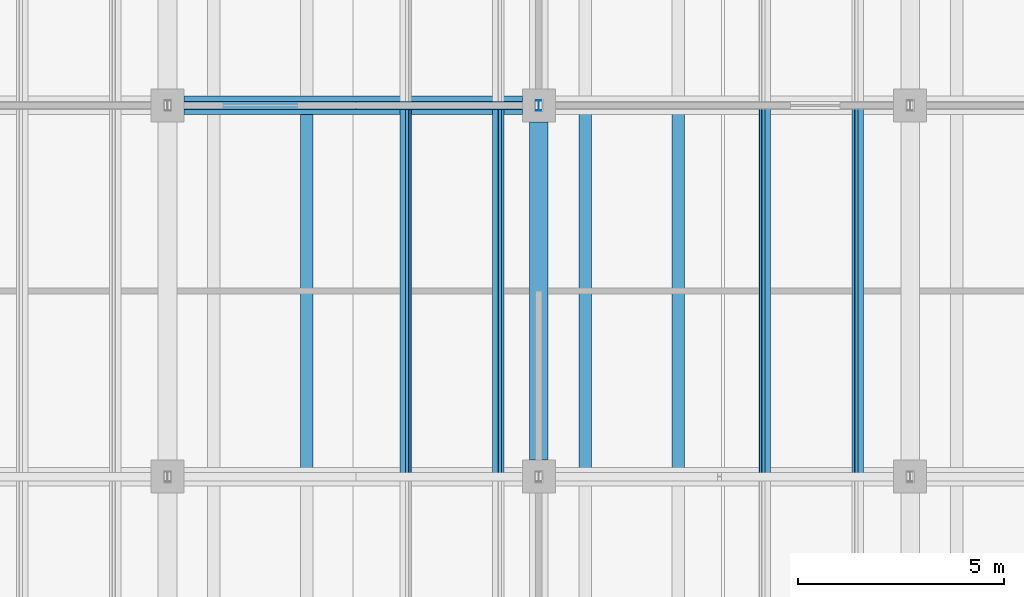
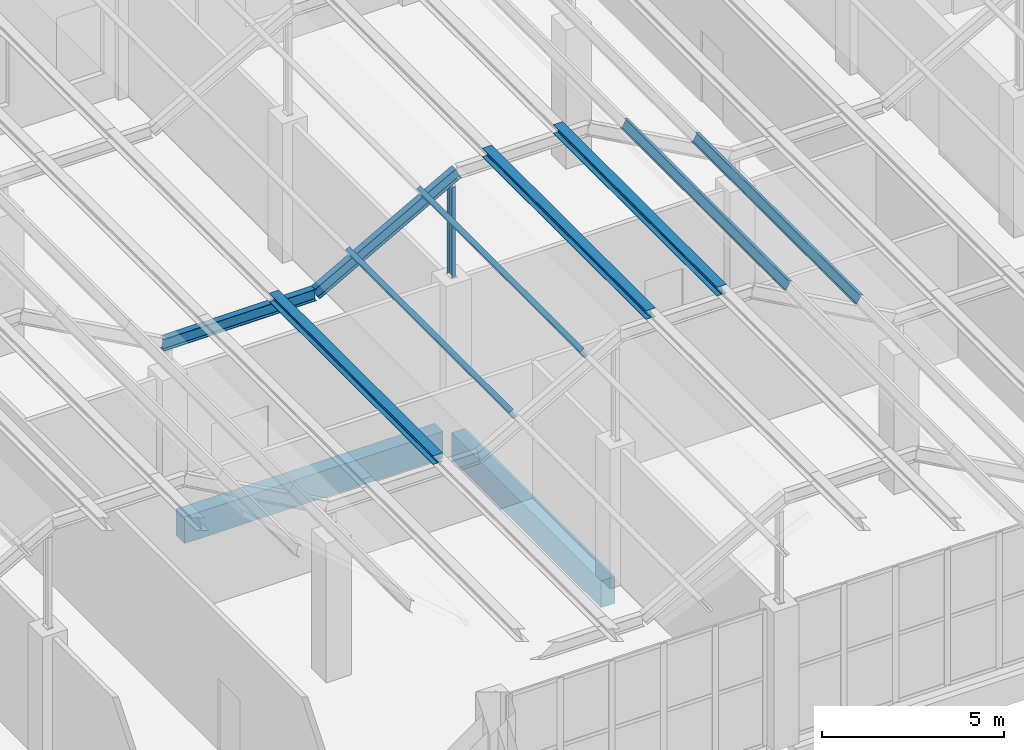
# One storey, part 62 of 437: 10 members, 2 beams.
"""IFC4 building model written with IfcOpenShell, lengths in metres."""

from ifc_helpers import new_model, si_unit, direction, frame, origin, origin_2d, place, context, subcontext, project, spatial, rectangle, i_section, extrude, material, material_profile, profile_set, type_object, element, save


model = new_model("IFC4")

# Units and contexts
model_context = context("Model", 3, precision=1e-05, world=origin(), true_north=direction((0.0, 1.0)))
body_context = subcontext(model_context, "Body", "Model", "MODEL_VIEW")
ifc_project = project(units=[si_unit("LENGTHUNIT", "METRE"), si_unit("AREAUNIT", "SQUARE_METRE"), si_unit("VOLUMEUNIT", "CUBIC_METRE"), si_unit("PLANEANGLEUNIT", "RADIAN"), si_unit("MASSUNIT", "GRAM", prefix="KILO")], contexts=[model_context])

# Site, building, storey
site_placement = place(None, origin())
site = spatial("IfcSite", under=ifc_project, at=site_placement, CompositionType="ELEMENT")
building_placement = place(site_placement, origin())
building = spatial("IfcBuilding", under=site, at=building_placement, Name="Opaline Strait Convention Centre", CompositionType="ELEMENT")
storey_placement = place(building_placement, frame((0.0, 0.0, 11.5)))
storey = spatial("IfcBuildingStorey", under=building, at=storey_placement, Name="L02", CompositionType="ELEMENT", Elevation=11.5)

# Members
ifc_material_1 = material(Name="Steel Q355B", Category="steel")
ifc_material_profile_1 = material_profile(ifc_material_1, i_section(OverallWidth=0.300048828125, OverallDepth=0.300048828125, WebThickness=0.010009765625, FlangeThickness=0.014892578125, FilletRadius=0.012939453125, at=origin_2d()), Name="HW 300x300x10x15")
ifc_profile_set_1 = profile_set([ifc_material_profile_1], Name="Steel Q355B")
member_type_1 = type_object("IfcMemberType", Name="Crest purlin HW 300x300x10x15", PredefinedType="PURLIN", material=ifc_profile_set_1)
for number, where, z_axis, x_axis, name in (
    (1, (39.375, 72.0, 5.949951171875), (0.0, 1.0, 0.0), (-1.0, 0.0, 0.0), "RU1 purlin facet 7 line 2"),
    (2, (46.125, 72.0, 8.449951171875), (0.0, 1.0, 0.0), (-1.0, 0.0, 0.0), "RU1 purlin facet 9 line 1"),
    (3, (48.375, 72.0, 8.449951171875), (0.0, 1.0, 0.0), (-1.0, 0.0, 0.0), "RU1 purlin facet 9 line 2"),
):
    element("IfcMember", number, at=place(storey_placement, frame(where, z_axis=z_axis, x_axis=x_axis)), inside=storey, type_object=member_type_1, Name=name, PredefinedType="PURLIN", context=body_context, shape_type="SweptSolid", body=[
        extrude(i_section(OverallWidth=0.300048828125, OverallDepth=0.300048828125, WebThickness=0.010009765625, FlangeThickness=0.014892578125, FilletRadius=0.012939453125, at=origin_2d()), origin(), (0.0, 0.0, 1.0), 9.0),
    ])

# Beams
ifc_material_2 = material(Name="Concrete C35", Category="concrete")
ifc_material_profile_2 = material_profile(ifc_material_2, rectangle(XDim=0.449951171875, YDim=0.89990234375, at=origin_2d()), Name="RC 450x900")
ifc_profile_set_2 = profile_set([ifc_material_profile_2], Name="Concrete C35")
beam_type = type_object("IfcBeamType", Name="RC beam 450x900 C35", PredefinedType="BEAM", material=ifc_profile_set_2)
for number, where, z_axis, x_axis, name in (
    (4, (36.39990234375, 81.0, -0.72998046875), (1.0, 0.0, 0.0), (0.0, 1.0, 0.0), "XB1 L02 36/81-45/81"),
    (5, (45.0, 72.39990234375, -0.72998046875), (0.0, 1.0, 0.0), (-1.0, 0.0, 0.0), "XB1 L02 45/72-45/81"),
):
    element("IfcBeam", number, at=place(storey_placement, frame(where, z_axis=z_axis, x_axis=x_axis)), inside=storey, type_object=beam_type, Name=name, PredefinedType="BEAM", context=body_context, shape_type="SweptSolid", body=[
        extrude(rectangle(XDim=0.449951171875, YDim=0.89990234375, at=origin_2d()), origin(), (0.0, 0.0, 1.0), 8.2001953125),
    ])

# Members
ifc_material_profile_3 = material_profile(ifc_material_1, i_section(OverallWidth=0.125, OverallDepth=0.25, WebThickness=0.006103515625, FlangeThickness=0.009033203125, FilletRadius=0.008056640625, at=origin_2d()), Name="HN 250x125x6x9")
ifc_profile_set_3 = profile_set([ifc_material_profile_3], Name="Steel Q355B")
member_type_2 = type_object("IfcMemberType", Name="Roof post HN 250x125x6x9", PredefinedType="STRUT", material=ifc_profile_set_3)
member_1_placement = place(storey_placement, frame((45.0, 81.0, 4.68994140625), z_axis=(0.0, 0.0, 1.0), x_axis=(1.0, 0.0, 0.0)))
element("IfcMember", 6, at=member_1_placement, inside=storey, type_object=member_type_2, Name="RP1 roof post at 45/81", PredefinedType="STRUT", context=body_context, shape_type="SweptSolid", body=[
    extrude(i_section(OverallWidth=0.125, OverallDepth=0.25, WebThickness=0.006103515625, FlangeThickness=0.009033203125, FilletRadius=0.008056640625, at=origin_2d()), origin(), (0.0, 0.0, 1.0), 3.031005859375),
])
ifc_material_profile_4 = material_profile(ifc_material_1, i_section(OverallWidth=0.14990234375, OverallDepth=0.300048828125, WebThickness=0.006591796875, FlangeThickness=0.009033203125, FilletRadius=0.012939453125, at=origin_2d()), Name="HN 300x150x6.5x9")
ifc_profile_set_4 = profile_set([ifc_material_profile_4], Name="Steel Q355B")
member_type_3 = type_object("IfcMemberType", Name="Roof purlin HN 300x150x6.5x9", PredefinedType="PURLIN", material=ifc_profile_set_4)
for number, where, z_axis, x_axis, name in (
    (7, (41.770751953125, 72.0, 6.61279296875), (0.0, 1.0, 0.0), (-0.874157310866, 0.0, -0.485642868639), "RU1 purlin facet 8 line 1"),
    (8, (44.020751953125, 72.0, 7.86279296875), (0.0, 1.0, 0.0), (-0.874157310866, 0.0, -0.485642868639), "RU1 purlin facet 8 line 2"),
    (9, (50.479248046875, 72.0, 7.86279296875), (0.0, 1.0, 0.0), (-0.874157310866, 0.0, 0.485642868639), "RU1 purlin facet 10 line 1"),
    (10, (52.729248046875, 72.0, 6.61279296875), (0.0, 1.0, 0.0), (-0.874157310866, 0.0, 0.485642868639), "RU1 purlin facet 10 line 2"),
):
    element("IfcMember", number, at=place(storey_placement, frame(where, z_axis=z_axis, x_axis=x_axis)), inside=storey, type_object=member_type_3, Name=name, PredefinedType="PURLIN", context=body_context, shape_type="SweptSolid", body=[
        extrude(i_section(OverallWidth=0.14990234375, OverallDepth=0.300048828125, WebThickness=0.006591796875, FlangeThickness=0.009033203125, FilletRadius=0.012939453125, at=origin_2d()), origin(), (0.0, 0.0, 1.0), 9.0),
    ])
ifc_material_profile_5 = material_profile(ifc_material_1, i_section(OverallWidth=0.199951171875, OverallDepth=0.39990234375, WebThickness=0.008056640625, FlangeThickness=0.012939453125, FilletRadius=0.012939453125, at=origin_2d()), Name="HN 400x200x8x13")
ifc_profile_set_5 = profile_set([ifc_material_profile_5], Name="Steel Q355B")
member_type_4 = type_object("IfcMemberType", Name="Roof rafter HN 400x200x8x13", PredefinedType="RAFTER", material=ifc_profile_set_5)
member_2_placement = place(storey_placement, frame((35.83154296875, 81.0, 5.60009765625), z_axis=(1.0, 0.0, 0.0), x_axis=(0.0, 1.0, 0.0)))
element("IfcMember", 11, at=member_2_placement, inside=storey, type_object=member_type_4, Name="RR1 rafter line 9 facet 8", PredefinedType="RAFTER", context=body_context, shape_type="SweptSolid", body=[
    extrude(i_section(OverallWidth=0.199951171875, OverallDepth=0.39990234375, WebThickness=0.008056640625, FlangeThickness=0.012939453125, FilletRadius=0.012939453125, at=origin_2d()), origin(), (0.0, 0.0, 1.0), 4.8369140625),
])
member_3_placement = place(storey_placement, frame((40.66845703125, 81.0, 5.60009765625), z_axis=(0.874157276122, 0.0, 0.485642931179), x_axis=(0.0, 1.0, 0.0)))
element("IfcMember", 12, at=member_3_placement, inside=storey, type_object=member_type_4, Name="RR1 rafter line 9 facet 9", PredefinedType="RAFTER", context=body_context, shape_type="SweptSolid", body=[
    extrude(i_section(OverallWidth=0.199951171875, OverallDepth=0.39990234375, WebThickness=0.008056640625, FlangeThickness=0.012939453125, FilletRadius=0.012939453125, at=origin_2d()), origin(), (0.0, 0.0, 1.0), 5.147705078125),
])

save(model, "model.ifc")
